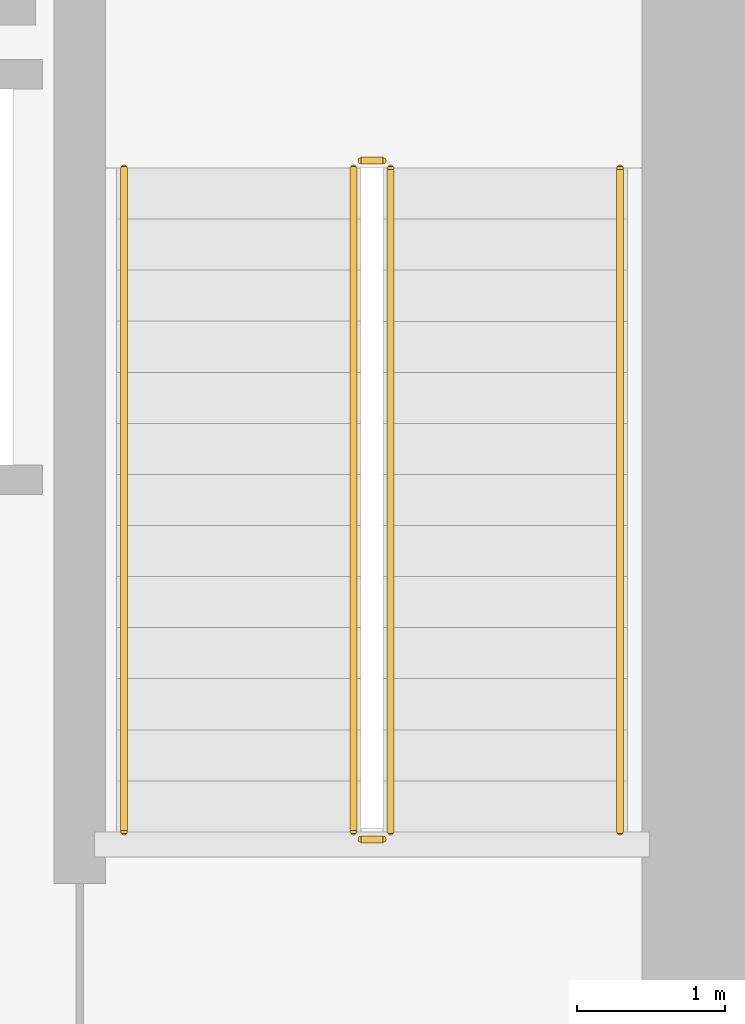
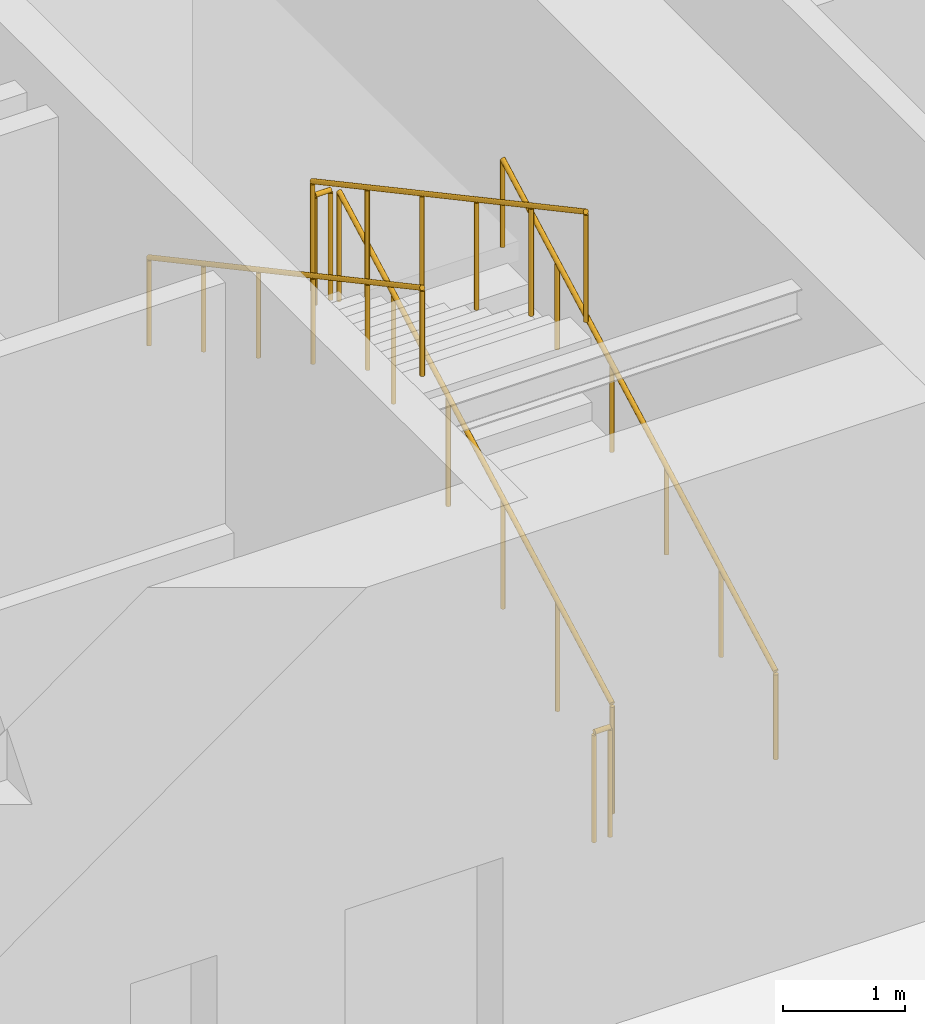
# One storey, part 12 of 14: 6 railings.
"""IFC4 building model written with IfcOpenShell, lengths in metres."""

from ifc_helpers import new_model, si_unit, direction, frame, origin, origin_2d, place, context, subcontext, project, spatial, circle, extrude, material, type_object, element, save


model = new_model("IFC4")

# Units and contexts
model_context = context("Model", 3, precision=1e-05, world=origin(), true_north=direction((0.0, 1.0)))
body_context = subcontext(model_context, "Body", "Model", "MODEL_VIEW")
ifc_project = project(units=[si_unit("LENGTHUNIT", "METRE"), si_unit("AREAUNIT", "SQUARE_METRE"), si_unit("VOLUMEUNIT", "CUBIC_METRE"), si_unit("PLANEANGLEUNIT", "RADIAN"), si_unit("MASSUNIT", "GRAM", prefix="KILO")], contexts=[model_context])

# Site, building, storey
site_placement = place(None, origin())
site = spatial("IfcSite", under=ifc_project, at=site_placement, CompositionType="ELEMENT")
building_placement = place(site_placement, origin())
building = spatial("IfcBuilding", under=site, at=building_placement, Name="Tolvann Quenvar Hotel", CompositionType="ELEMENT")
storey_placement = place(building_placement, frame((0.0, 0.0, 26.800048828125)))
storey = spatial("IfcBuildingStorey", under=building, at=storey_placement, Name="L05", CompositionType="ELEMENT", Elevation=26.800048828125)

# Railings
ifc_material = material(Name="Brushed 316 stainless steel balustrade and handrail", Category="steel")
railing_type_1 = type_object("IfcRailingType", Name="GUARDRAIL", PredefinedType="GUARDRAIL", material=ifc_material)
railing_1_placement = place(storey_placement, frame((33.800048828125, 34.0, 0.185546875)))
element("IfcRailing", 1, at=railing_1_placement, inside=storey, type_object=railing_type_1, Name="L05 ST-C2 stair guard 1", PredefinedType="GUARDRAIL", context=body_context, shape_type="SweptSolid", body=[
    extrude(circle(Radius=0.02392578125, at=origin_2d()), frame((0.0, 0.0, 1.09619140625), z_axis=(0.0, 0.88053265471, 0.473985489218), x_axis=(-1.0, 0.0, 0.0)), (0.0, 0.0, 1.0), 5.09375),
    extrude(circle(Radius=0.02099609375, at=origin_2d()), origin(), (0.0, 0.0, 1.0), 1.072021484375),
    extrude(circle(Radius=0.02099609375, at=origin_2d()), frame((0.0, 0.89697265625, 0.48291015625)), (0.0, 0.0, 1.0), 1.072021484375),
    extrude(circle(Radius=0.02099609375, at=origin_2d()), frame((0.0, 1.7939453125, 0.9658203125)), (0.0, 0.0, 1.0), 1.072021484375),
    extrude(circle(Radius=0.02099609375, at=origin_2d()), frame((0.0, 2.691162109375, 1.448486328125)), (0.0, 0.0, 1.0), 1.072021484375),
    extrude(circle(Radius=0.02099609375, at=origin_2d()), frame((0.0, 3.588134765625, 1.931396484375)), (0.0, 0.0, 1.0), 1.072021484375),
    extrude(circle(Radius=0.02099609375, at=origin_2d()), frame((0.0, 4.485107421875, 2.414306640625)), (0.0, 0.0, 1.0), 1.072021484375),
])
railing_2_placement = place(storey_placement, frame((33.75, 38.534912109375, 2.599853515625)))
element("IfcRailing", 2, at=railing_2_placement, inside=storey, type_object=railing_type_1, Name="L05 ST-C2 stair guard 2", PredefinedType="GUARDRAIL", context=body_context, shape_type="SweptSolid", body=[
    extrude(circle(Radius=0.02392578125, at=origin_2d()), frame((0.0, 0.0, 1.09619140625), z_axis=(-1.0, 0.0, 0.0), x_axis=(0.0, -1.0, 0.0)), (0.0, 0.0, 1.0), 0.14990234375),
    extrude(circle(Radius=0.02099609375, at=origin_2d()), origin(), (0.0, 0.0, 1.0), 1.072021484375),
    extrude(circle(Radius=0.02099609375, at=origin_2d()), frame((-0.14990234375, 0.0, 0.0)), (0.0, 0.0, 1.0), 1.072021484375),
])
railing_3_placement = place(storey_placement, frame((33.550048828125, 38.485107421875, 2.78564453125)))
element("IfcRailing", 3, at=railing_3_placement, inside=storey, type_object=railing_type_1, Name="L05 ST-C2 stair guard 3", PredefinedType="GUARDRAIL", context=body_context, shape_type="SweptSolid", body=[
    extrude(circle(Radius=0.02392578125, at=origin_2d()), frame((0.0, 0.0, 1.09619140625), z_axis=(0.0, -0.88053265471, 0.473985489218), x_axis=(1.0, 0.0, 0.0)), (0.0, 0.0, 1.0), 5.09375),
    extrude(circle(Radius=0.02099609375, at=origin_2d()), origin(), (0.0, 0.0, 1.0), 1.072021484375),
    extrude(circle(Radius=0.02099609375, at=origin_2d()), frame((0.0, -0.89697265625, 0.48291015625)), (0.0, 0.0, 1.0), 1.072021484375),
    extrude(circle(Radius=0.02099609375, at=origin_2d()), frame((0.0, -1.7939453125, 0.9658203125)), (0.0, 0.0, 1.0), 1.072021484375),
    extrude(circle(Radius=0.02099609375, at=origin_2d()), frame((0.0, -2.691162109375, 1.448486328125)), (0.0, 0.0, 1.0), 1.072021484375),
    extrude(circle(Radius=0.02099609375, at=origin_2d()), frame((0.0, -3.588134765625, 1.931396484375)), (0.0, 0.0, 1.0), 1.072021484375),
    extrude(circle(Radius=0.02099609375, at=origin_2d()), frame((0.0, -4.485107421875, 2.414306640625)), (0.0, 0.0, 1.0), 1.072021484375),
])
railing_4_placement = place(storey_placement, frame((33.75, 33.949951171875, 0.0)))
element("IfcRailing", 4, at=railing_4_placement, inside=storey, type_object=railing_type_1, Name="L05 ST-C2 stair guard 4", PredefinedType="GUARDRAIL", context=body_context, shape_type="SweptSolid", body=[
    extrude(circle(Radius=0.02392578125, at=origin_2d()), frame((0.0, 0.0, 1.09619140625), z_axis=(-1.0, 0.0, 0.0), x_axis=(0.0, -1.0, 0.0)), (0.0, 0.0, 1.0), 0.14990234375),
    extrude(circle(Radius=0.02099609375, at=origin_2d()), origin(), (0.0, 0.0, 1.0), 1.072021484375),
    extrude(circle(Radius=0.02099609375, at=origin_2d()), frame((-0.14990234375, 0.0, 0.0)), (0.0, 0.0, 1.0), 1.072021484375),
])
railing_type_2 = type_object("IfcRailingType", Name="HANDRAIL", PredefinedType="HANDRAIL", material=ifc_material)
railing_5_placement = place(storey_placement, frame((35.35009765625, 34.0, 0.185546875)))
element("IfcRailing", 5, at=railing_5_placement, inside=storey, type_object=railing_type_2, Name="L05 ST-C2 stair handrail 1", PredefinedType="HANDRAIL", context=body_context, shape_type="SweptSolid", body=[
    extrude(circle(Radius=0.02392578125, at=origin_2d()), frame((0.0, 0.0, 0.8759765625), z_axis=(0.0, 0.88053265471, 0.473985489218), x_axis=(-1.0, 0.0, 0.0)), (0.0, 0.0, 1.0), 5.09375),
    extrude(circle(Radius=0.02099609375, at=origin_2d()), origin(), (0.0, 0.0, 1.0), 0.851806640625),
    extrude(circle(Radius=0.02099609375, at=origin_2d()), frame((0.0, 0.89697265625, 0.48291015625)), (0.0, 0.0, 1.0), 0.851806640625),
    extrude(circle(Radius=0.02099609375, at=origin_2d()), frame((0.0, 1.7939453125, 0.9658203125)), (0.0, 0.0, 1.0), 0.851806640625),
    extrude(circle(Radius=0.02099609375, at=origin_2d()), frame((0.0, 2.691162109375, 1.448486328125)), (0.0, 0.0, 1.0), 0.851806640625),
    extrude(circle(Radius=0.02099609375, at=origin_2d()), frame((0.0, 3.588134765625, 1.931396484375)), (0.0, 0.0, 1.0), 0.851806640625),
    extrude(circle(Radius=0.02099609375, at=origin_2d()), frame((0.0, 4.485107421875, 2.414306640625)), (0.0, 0.0, 1.0), 0.851806640625),
])
railing_6_placement = place(storey_placement, frame((32.0, 38.485107421875, 2.78564453125)))
element("IfcRailing", 6, at=railing_6_placement, inside=storey, type_object=railing_type_2, Name="L05 ST-C2 stair handrail 2", PredefinedType="HANDRAIL", context=body_context, shape_type="SweptSolid", body=[
    extrude(circle(Radius=0.02392578125, at=origin_2d()), frame((0.0, 0.0, 0.8759765625), z_axis=(0.0, -0.88053265471, 0.473985489218), x_axis=(1.0, 0.0, 0.0)), (0.0, 0.0, 1.0), 5.09375),
    extrude(circle(Radius=0.02099609375, at=origin_2d()), origin(), (0.0, 0.0, 1.0), 0.851806640625),
    extrude(circle(Radius=0.02099609375, at=origin_2d()), frame((0.0, -0.89697265625, 0.48291015625)), (0.0, 0.0, 1.0), 0.851806640625),
    extrude(circle(Radius=0.02099609375, at=origin_2d()), frame((0.0, -1.7939453125, 0.9658203125)), (0.0, 0.0, 1.0), 0.851806640625),
    extrude(circle(Radius=0.02099609375, at=origin_2d()), frame((0.0, -2.691162109375, 1.448486328125)), (0.0, 0.0, 1.0), 0.851806640625),
    extrude(circle(Radius=0.02099609375, at=origin_2d()), frame((0.0, -3.588134765625, 1.931396484375)), (0.0, 0.0, 1.0), 0.851806640625),
    extrude(circle(Radius=0.02099609375, at=origin_2d()), frame((0.0, -4.485107421875, 2.414306640625)), (0.0, 0.0, 1.0), 0.851806640625),
])

save(model, "model.ifc")
